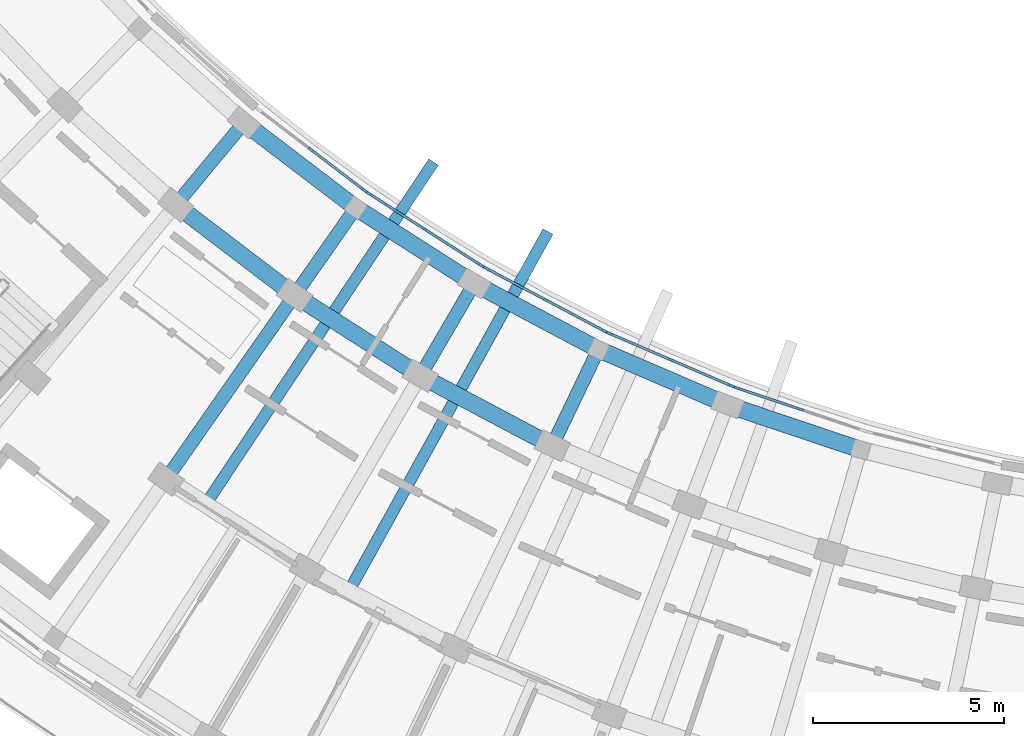
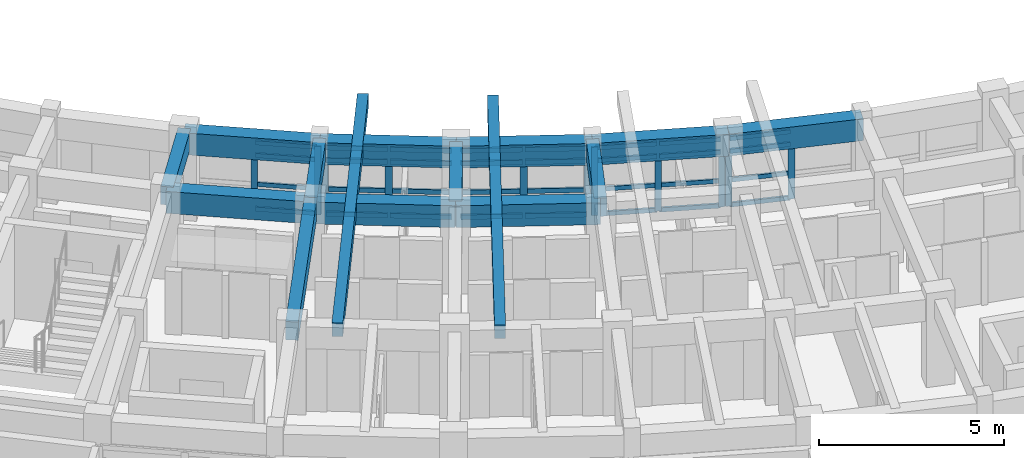
# One storey, part 13 of 55: 45 members, 15 beams, 5 elements without a shape of their own.
"""IFC4 building model written with IfcOpenShell, lengths in metres."""

from ifc_helpers import new_model, si_unit, direction, frame, origin, origin_2d, place, context, subcontext, project, spatial, rectangle, extrude, material, material_profile, profile_set, type_object, element, aggregate, save


model = new_model("IFC4")

# Units and contexts
model_context = context("Model", 3, precision=1e-05, world=origin(), true_north=direction((0.0, 1.0)))
body_context = subcontext(model_context, "Body", "Model", "MODEL_VIEW")
ifc_project = project(units=[si_unit("LENGTHUNIT", "METRE"), si_unit("AREAUNIT", "SQUARE_METRE"), si_unit("VOLUMEUNIT", "CUBIC_METRE"), si_unit("PLANEANGLEUNIT", "RADIAN"), si_unit("MASSUNIT", "GRAM", prefix="KILO")], contexts=[model_context])

# Site, building, storey
site_placement = place(None, origin())
site = spatial("IfcSite", under=ifc_project, at=site_placement, CompositionType="ELEMENT")
building_placement = place(site_placement, origin())
building = spatial("IfcBuilding", under=site, at=building_placement, Name="Zimvara Arc Housing Community", CompositionType="ELEMENT")
storey_placement = place(building_placement, frame((0.0, 0.0, 14.300048828125)))
storey = spatial("IfcBuildingStorey", under=building, at=storey_placement, Name="L04", CompositionType="ELEMENT", Elevation=14.300048828125)

# Beams
ifc_material_1 = material(Name="Concrete C40/50", Category="concrete")
ifc_material_profile_1 = material_profile(ifc_material_1, rectangle(XDim=0.300048828125, YDim=0.449951171875, at=origin_2d()), Name="RC 300x450")
ifc_profile_set_1 = profile_set([ifc_material_profile_1], Name="Concrete C40/50")
beam_type_1 = type_object("IfcBeamType", Name="BM-RC-300x450", PredefinedType="JOIST", material=ifc_profile_set_1)
beam_1_placement = place(storey_placement, frame((96.168701171875, 65.07470703125, 2.6650390625), z_axis=(0.554127285738, 0.832431949892, 0.0), x_axis=(-0.832431949892, 0.554127285738, 0.0)))
element("IfcBeam", 1, at=beam_1_placement, inside=storey, type_object=beam_type_1, Name="bm:blkC:L04:cant_in:b3", PredefinedType="JOIST", context=body_context, shape_type="SweptSolid", body=[
    extrude(rectangle(XDim=0.300048828125, YDim=0.449951171875, at=origin_2d()), origin(), (0.0, 0.0, 1.0), 10.81982421875),
])
beam_2_placement = place(storey_placement, frame((99.922119140625, 62.791748046875, 2.6650390625), z_axis=(0.484356901768, 0.874870499965, 0.0), x_axis=(-0.874870499965, 0.484356901768, 0.0)))
element("IfcBeam", 2, at=beam_2_placement, inside=storey, type_object=beam_type_1, Name="bm:blkC:L04:cant_in:b4", PredefinedType="JOIST", context=body_context, shape_type="SweptSolid", body=[
    extrude(rectangle(XDim=0.300048828125, YDim=0.449951171875, at=origin_2d()), origin(), (0.0, 0.0, 1.0), 10.820068359375),
])
ifc_material_2 = material(Name="Concrete C40/50", Category="concrete")
ifc_material_profile_2 = material_profile(ifc_material_2, rectangle(XDim=0.35009765625, YDim=0.60009765625, at=origin_2d()), Name="RC 350x600")
ifc_profile_set_2 = profile_set([ifc_material_profile_2], Name="Concrete C40/50")
beam_type_2 = type_object("IfcBeamType", Name="BM-RC-350x600", PredefinedType="BEAM", material=ifc_profile_set_2)
beam_3_placement = place(storey_placement, frame((97.195068359375, 75.114501953125, 2.56005859375), z_axis=(-0.637917412223, -0.770104781951, 0.0), x_axis=(0.770104781951, -0.637917412223, 0.0)))
element("IfcBeam", 3, at=beam_3_placement, inside=storey, type_object=beam_type_2, Name="bm:blkC:L04:rad:b2:r01", PredefinedType="BEAM", context=body_context, shape_type="SweptSolid", body=[
    extrude(rectangle(XDim=0.35009765625, YDim=0.60009765625, at=origin_2d()), origin(), (0.0, 0.0, 1.0), 2.800048828125),
])
beam_4_placement = place(storey_placement, frame((100.1259765625, 72.8818359375, 2.56005859375), z_axis=(-0.57297651105, -0.819571789281, 0.0), x_axis=(0.819571789281, -0.57297651105, 0.0)))
element("IfcBeam", 4, at=beam_4_placement, inside=storey, type_object=beam_type_2, Name="bm:blkC:L04:rad:b3:r01", PredefinedType="BEAM", context=body_context, shape_type="SweptSolid", body=[
    extrude(rectangle(XDim=0.35009765625, YDim=0.60009765625, at=origin_2d()), origin(), (0.0, 0.0, 1.0), 2.7998046875),
])
beam_5_placement = place(storey_placement, frame((98.521728515625, 70.587158203125, 2.56005859375), z_axis=(-0.57300805165, -0.81954973781, 0.0), x_axis=(0.81954973781, -0.57300805165, 0.0)))
element("IfcBeam", 5, at=beam_5_placement, inside=storey, type_object=beam_type_2, Name="bm:blkC:L04:rad:b3:r12", PredefinedType="BEAM", context=body_context, shape_type="SweptSolid", body=[
    extrude(rectangle(XDim=0.35009765625, YDim=0.60009765625, at=origin_2d()), origin(), (0.0, 0.0, 1.0), 5.880126953125),
])
beam_6_placement = place(storey_placement, frame((103.229248046875, 70.895751953125, 2.56005859375), z_axis=(-0.504201666262, -0.8635859423, 0.0), x_axis=(0.8635859423, -0.504201666262, 0.0)))
element("IfcBeam", 6, at=beam_6_placement, inside=storey, type_object=beam_type_2, Name="bm:blkC:L04:rad:b4:r01", PredefinedType="BEAM", context=body_context, shape_type="SweptSolid", body=[
    extrude(rectangle(XDim=0.35009765625, YDim=0.60009765625, at=origin_2d()), origin(), (0.0, 0.0, 1.0), 2.80029296875),
])
beam_7_placement = place(storey_placement, frame((106.484375, 69.16943359375, 2.56005859375), z_axis=(-0.432118703138, -0.901816736593, 0.0), x_axis=(0.901816736593, -0.432118703138, 0.0)))
element("IfcBeam", 7, at=beam_7_placement, inside=storey, type_object=beam_type_2, Name="bm:blkC:L04:rad:b5:r01", PredefinedType="BEAM", context=body_context, shape_type="SweptSolid", body=[
    extrude(rectangle(XDim=0.35009765625, YDim=0.60009765625, at=origin_2d()), origin(), (0.0, 0.0, 1.0), 2.800048828125),
])
ifc_material_3 = material(Name="Concrete C40/50", Category="concrete")
ifc_material_profile_3 = material_profile(ifc_material_3, rectangle(XDim=0.43994140625, YDim=0.719970703125, at=origin_2d()), Name="RC 440x720")
ifc_profile_set_3 = profile_set([ifc_material_profile_3], Name="Concrete C40/50")
beam_type_3 = type_object("IfcBeamType", Name="BM-RC-440x720", PredefinedType="BEAM", material=ifc_profile_set_3)
for number, where, z_axis, x_axis, name in (
    (8, (97.195068359375, 75.114501953125, 2.5), (0.795484955371, -0.605973337515, 0.0), (0.605973337515, 0.795484955371, 0.0), "bm:blkC:L04:chord:r0:b2"),
    (9, (100.1259765625, 72.8818359375, 2.5), (0.842272604079, -0.539051816079, 0.0), (0.539051816079, 0.842272604079, 0.0), "bm:blkC:L04:chord:r0:b3"),
):
    element("IfcBeam", number, at=place(storey_placement, frame(where, z_axis=z_axis, x_axis=x_axis)), inside=storey, type_object=beam_type_3, Name=name, PredefinedType="BEAM", context=body_context, shape_type="SweptSolid", body=[
        extrude(rectangle(XDim=0.43994140625, YDim=0.719970703125, at=origin_2d()), origin(), (0.0, 0.0, 1.0), 3.684326171875),
    ])
for number, where, z_axis, x_axis, name in (
    (10, (103.229248046875, 70.895751953125, 2.5), (0.883449220086, -0.468526920815, 0.0), (0.468526920815, 0.883449220086, 0.0), "bm:blkC:L04:chord:r0:b4"),
    (11, (106.484375, 69.16943359375, 2.5), (0.918716071386, -0.394918700718, 0.0), (0.394918700718, 0.918716071386, 0.0), "bm:blkC:L04:chord:r0:b5"),
):
    element("IfcBeam", number, at=place(storey_placement, frame(where, z_axis=z_axis, x_axis=x_axis)), inside=storey, type_object=beam_type_3, Name=name, PredefinedType="BEAM", context=body_context, shape_type="SweptSolid", body=[
        extrude(rectangle(XDim=0.43994140625, YDim=0.719970703125, at=origin_2d()), origin(), (0.0, 0.0, 1.0), 3.6845703125),
    ])
beam_8_placement = place(storey_placement, frame((109.869384765625, 67.71435546875, 2.5), z_axis=(0.947865078275, -0.31867192124, 0.0), x_axis=(0.31867192124, 0.947865078275, 0.0)))
element("IfcBeam", 12, at=beam_8_placement, inside=storey, type_object=beam_type_3, Name="bm:blkC:L04:chord:r0:b6", PredefinedType="BEAM", context=body_context, shape_type="SweptSolid", body=[
    extrude(rectangle(XDim=0.43994140625, YDim=0.719970703125, at=origin_2d()), origin(), (0.0, 0.0, 1.0), 3.684326171875),
])
for number, where, z_axis, x_axis, name in (
    (13, (95.408935546875, 72.958251953125, 2.5), (0.795500462697, -0.605952979899, 0.0), (0.605952979899, 0.795500462697, 0.0), "bm:blkC:L04:chord:r1:b2"),
    (14, (98.521728515625, 70.587158203125, 2.5), (0.842224940184, -0.53912628403, 0.0), (0.53912628403, 0.842224940184, 0.0), "bm:blkC:L04:chord:r1:b3"),
    (15, (101.8173828125, 68.4775390625, 2.5), (0.883464449706, -0.468498202884, 0.0), (0.468498202884, 0.883464449706, 0.0), "bm:blkC:L04:chord:r1:b4"),
):
    element("IfcBeam", number, at=place(storey_placement, frame(where, z_axis=z_axis, x_axis=x_axis)), inside=storey, type_object=beam_type_3, Name=name, PredefinedType="BEAM", context=body_context, shape_type="SweptSolid", body=[
        extrude(rectangle(XDim=0.43994140625, YDim=0.719970703125, at=origin_2d()), origin(), (0.0, 0.0, 1.0), 3.9130859375),
    ])

# Curtain wall, members
ifc_material_4 = material(Name="Anodised Aluminium AW-6063", Category="aluminium")
curtain_wall_type_1 = type_object("IfcCurtainWallType", Name="CW-SYS-04", PredefinedType="USERDEFINED", material=ifc_material_4)
curtain_wall_1_placement = place(storey_placement, origin())
curtain_wall_1 = element("IfcCurtainWall", 16, at=curtain_wall_1_placement, inside=storey, type_object=curtain_wall_type_1, Name="cw:blkC:L04:in:b2", ObjectType="CURTAIN WALL", PredefinedType="USERDEFINED")
ifc_material_5 = material(Name="Anodised Aluminium AW-6063", Category="aluminium")
ifc_material_profile_4 = material_profile(ifc_material_5, rectangle(XDim=0.06494140625, YDim=0.179931640625, at=origin_2d()), Name="ALU 65x180")
ifc_profile_set_4 = profile_set([ifc_material_profile_4], Name="Anodised Aluminium AW-6063")
member_type_1 = type_object("IfcMemberType", Name="CWM-65x150", PredefinedType="MULLION", material=ifc_profile_set_4)
member_1_placement = place(storey_placement, frame((98.96337890625, 74.3955078125, 0.0), z_axis=(0.0, 0.0, 1.0), x_axis=(0.605988318533, 0.795473543119, 0.0)))
member_1 = element("IfcMember", 17, at=member_1_placement, type_object=member_type_1, Name="CW04 mullion 2", PredefinedType="MULLION", context=body_context, shape_type="SweptSolid", body=[
    extrude(rectangle(XDim=0.06494140625, YDim=0.179931640625, at=origin_2d()), origin(), (0.0, 0.0, 1.0), 2.25),
])
member_2_placement = place(storey_placement, frame((100.3388671875, 73.34765625, 0.0), z_axis=(0.0, 0.0, 1.0), x_axis=(0.605988318533, 0.795473543119, 0.0)))
member_2 = element("IfcMember", 18, at=member_2_placement, type_object=member_type_1, Name="CW04 mullion 3", PredefinedType="MULLION", context=body_context, shape_type="SweptSolid", body=[
    extrude(rectangle(XDim=0.06494140625, YDim=0.179931640625, at=origin_2d()), origin(), (0.0, 0.0, 1.0), 2.25),
])

ifc_material_6 = material(Name="Anodised Aluminium AW-6063", Category="aluminium")
curtain_wall_type_2 = type_object("IfcCurtainWallType", Name="CW-SYS-08", PredefinedType="USERDEFINED", material=ifc_material_6)
curtain_wall_2_placement = place(storey_placement, origin())
curtain_wall_2 = element("IfcCurtainWall", 19, at=curtain_wall_2_placement, inside=storey, type_object=curtain_wall_type_2, Name="cw:blkC:L04:in:b5", ObjectType="CURTAIN WALL", PredefinedType="USERDEFINED")
member_3_placement = place(storey_placement, frame((106.785400390625, 69.583740234375, 0.0), z_axis=(0.0, 0.0, 1.0), x_axis=(0.394904493375, 0.918722178415, 0.0)))
member_3 = element("IfcMember", 20, at=member_3_placement, type_object=member_type_1, Name="CW08 mullion 1", PredefinedType="MULLION", context=body_context, shape_type="SweptSolid", body=[
    extrude(rectangle(XDim=0.06494140625, YDim=0.179931640625, at=origin_2d()), origin(), (0.0, 0.0, 1.0), 2.25),
])
member_4_placement = place(storey_placement, frame((108.3740234375, 68.90087890625, 0.0), z_axis=(0.0, 0.0, 1.0), x_axis=(0.394904493375, 0.918722178415, 0.0)))
member_4 = element("IfcMember", 21, at=member_4_placement, type_object=member_type_1, Name="CW08 mullion 2", PredefinedType="MULLION", context=body_context, shape_type="SweptSolid", body=[
    extrude(rectangle(XDim=0.06494140625, YDim=0.179931640625, at=origin_2d()), origin(), (0.0, 0.0, 1.0), 2.25),
])
member_5_placement = place(storey_placement, frame((109.962890625, 68.2177734375, 0.0), z_axis=(0.0, 0.0, 1.0), x_axis=(0.394904493375, 0.918722178415, 0.0)))
member_5 = element("IfcMember", 22, at=member_5_placement, type_object=member_type_1, Name="CW08 mullion 3", PredefinedType="MULLION", context=body_context, shape_type="SweptSolid", body=[
    extrude(rectangle(XDim=0.06494140625, YDim=0.179931640625, at=origin_2d()), origin(), (0.0, 0.0, 1.0), 2.25),
])

ifc_material_7 = material(Name="Anodised Aluminium AW-6063", Category="aluminium")
curtain_wall_type_3 = type_object("IfcCurtainWallType", Name="CW-SYS-02", PredefinedType="USERDEFINED", material=ifc_material_7)
curtain_wall_3_placement = place(storey_placement, origin())
curtain_wall_3 = element("IfcCurtainWall", 23, at=curtain_wall_3_placement, inside=storey, type_object=curtain_wall_type_3, Name="cw:blkC:L04:in:b6", ObjectType="CURTAIN WALL", PredefinedType="USERDEFINED")
member_6_placement = place(storey_placement, frame((110.135498046875, 68.15185546875, 0.0), z_axis=(0.0, 0.0, 1.0), x_axis=(0.318630249383, 0.94787908732, 0.0)))
member_6 = element("IfcMember", 24, at=member_6_placement, type_object=member_type_1, Name="CW02 mullion 1", PredefinedType="MULLION", context=body_context, shape_type="SweptSolid", body=[
    extrude(rectangle(XDim=0.06494140625, YDim=0.179931640625, at=origin_2d()), origin(), (0.0, 0.0, 1.0), 2.25),
])
member_7_placement = place(storey_placement, frame((111.774658203125, 67.600830078125, 0.0), z_axis=(0.0, 0.0, 1.0), x_axis=(0.318630249383, 0.94787908732, 0.0)))
member_7 = element("IfcMember", 25, at=member_7_placement, type_object=member_type_1, Name="CW02 mullion 2", PredefinedType="MULLION", context=body_context, shape_type="SweptSolid", body=[
    extrude(rectangle(XDim=0.06494140625, YDim=0.179931640625, at=origin_2d()), origin(), (0.0, 0.0, 1.0), 2.25),
])

ifc_material_8 = material(Name="Anodised Aluminium AW-6063", Category="aluminium")
curtain_wall_type_4 = type_object("IfcCurtainWallType", Name="CW-SYS-05", PredefinedType="USERDEFINED", material=ifc_material_8)
curtain_wall_4_placement = place(storey_placement, origin())
curtain_wall_4 = element("IfcCurtainWall", 26, at=curtain_wall_4_placement, inside=storey, type_object=curtain_wall_type_4, Name="cw:blkC:L04:in:b3", ObjectType="CURTAIN WALL", PredefinedType="USERDEFINED")
ifc_material_9 = material(Name="Anodised Aluminium AW-6063", Category="aluminium")
ifc_material_profile_5 = material_profile(ifc_material_9, rectangle(XDim=0.06494140625, YDim=0.195068359375, at=origin_2d()), Name="ALU 65x195")
ifc_profile_set_5 = profile_set([ifc_material_profile_5], Name="Anodised Aluminium AW-6063")
member_type_2 = type_object("IfcMemberType", Name="CWM-65x180", PredefinedType="MULLION", material=ifc_profile_set_5)
member_8_placement = place(storey_placement, frame((100.490478515625, 73.24169921875, 0.0), z_axis=(0.0, 0.0, 1.0), x_axis=(0.539064085203, 0.842264751752, 0.0)))
member_8 = element("IfcMember", 27, at=member_8_placement, type_object=member_type_2, Name="CW05 mullion 1", PredefinedType="MULLION", context=body_context, shape_type="SweptSolid", body=[
    extrude(rectangle(XDim=0.06494140625, YDim=0.195068359375, at=origin_2d()), origin(), (0.0, 0.0, 1.0), 2.25),
])
member_9_placement = place(storey_placement, frame((101.947021484375, 72.3095703125, 0.0), z_axis=(0.0, 0.0, 1.0), x_axis=(0.539064085203, 0.842264751752, 0.0)))
member_9 = element("IfcMember", 28, at=member_9_placement, type_object=member_type_2, Name="CW05 mullion 2", PredefinedType="MULLION", context=body_context, shape_type="SweptSolid", body=[
    extrude(rectangle(XDim=0.06494140625, YDim=0.195068359375, at=origin_2d()), origin(), (0.0, 0.0, 1.0), 2.25),
])
member_10_placement = place(storey_placement, frame((103.403564453125, 71.377197265625, 0.0), z_axis=(0.0, 0.0, 1.0), x_axis=(0.539064085203, 0.842264751752, 0.0)))
member_10 = element("IfcMember", 29, at=member_10_placement, type_object=member_type_2, Name="CW05 mullion 3", PredefinedType="MULLION", context=body_context, shape_type="SweptSolid", body=[
    extrude(rectangle(XDim=0.06494140625, YDim=0.195068359375, at=origin_2d()), origin(), (0.0, 0.0, 1.0), 2.25),
])

ifc_material_10 = material(Name="Anodised Aluminium AW-6063", Category="aluminium")
curtain_wall_type_5 = type_object("IfcCurtainWallType", Name="CW-SYS-07", PredefinedType="USERDEFINED", material=ifc_material_10)
curtain_wall_5_placement = place(storey_placement, origin())
curtain_wall_5 = element("IfcCurtainWall", 30, at=curtain_wall_5_placement, inside=storey, type_object=curtain_wall_type_5, Name="cw:blkC:L04:in:b4", ObjectType="CURTAIN WALL", PredefinedType="USERDEFINED")
member_11_placement = place(storey_placement, frame((103.563232421875, 71.2841796875, 0.0), z_axis=(0.0, 0.0, 1.0), x_axis=(0.468544648573, 0.88343981815, 0.0)))
member_11 = element("IfcMember", 31, at=member_11_placement, type_object=member_type_2, Name="CW07 mullion 1", PredefinedType="MULLION", context=body_context, shape_type="SweptSolid", body=[
    extrude(rectangle(XDim=0.06494140625, YDim=0.195068359375, at=origin_2d()), origin(), (0.0, 0.0, 1.0), 2.25),
])
member_12_placement = place(storey_placement, frame((105.0908203125, 70.473876953125, 0.0), z_axis=(0.0, 0.0, 1.0), x_axis=(0.468544648573, 0.88343981815, 0.0)))
member_12 = element("IfcMember", 32, at=member_12_placement, type_object=member_type_2, Name="CW07 mullion 2", PredefinedType="MULLION", context=body_context, shape_type="SweptSolid", body=[
    extrude(rectangle(XDim=0.06494140625, YDim=0.195068359375, at=origin_2d()), origin(), (0.0, 0.0, 1.0), 2.25),
])
member_13_placement = place(storey_placement, frame((106.61865234375, 69.66357421875, 0.0), z_axis=(0.0, 0.0, 1.0), x_axis=(0.468544648573, 0.88343981815, 0.0)))
member_13 = element("IfcMember", 33, at=member_13_placement, type_object=member_type_2, Name="CW07 mullion 3", PredefinedType="MULLION", context=body_context, shape_type="SweptSolid", body=[
    extrude(rectangle(XDim=0.06494140625, YDim=0.195068359375, at=origin_2d()), origin(), (0.0, 0.0, 1.0), 2.25),
])

# Member
ifc_material_11 = material(Name="Anodised Aluminium AW-6063", Category="aluminium")
ifc_material_profile_6 = material_profile(ifc_material_11, rectangle(XDim=0.06494140625, YDim=0.139892578125, at=origin_2d()), Name="ALU 65x140")
ifc_profile_set_6 = profile_set([ifc_material_profile_6], Name="Anodised Aluminium AW-6063")
member_type_3 = type_object("IfcMemberType", Name="CWT-65x120", PredefinedType="USERDEFINED", material=ifc_profile_set_6)
member_14_placement = place(storey_placement, frame((98.9892578125, 74.3759765625, 0.032470703125), z_axis=(0.795435087713, -0.606038795157, 0.0), x_axis=(0.606038795157, 0.795435087713, 0.0)))
member_14 = element("IfcMember", 34, at=member_14_placement, type_object=member_type_3, Name="CW04 transom 2.1", ObjectType="TRANSOM", PredefinedType="USERDEFINED", context=body_context, shape_type="SweptSolid", body=[
    extrude(rectangle(XDim=0.06494140625, YDim=0.139892578125, at=origin_2d()), origin(), (0.0, 0.0, 1.0), 1.6640625),
])

member_15_placement = place(storey_placement, frame((98.9892578125, 74.3759765625, 0.849853515625), z_axis=(0.795435087713, -0.606038795157, 0.0), x_axis=(0.606038795157, 0.795435087713, 0.0)))
member_15 = element("IfcMember", 35, at=member_15_placement, type_object=member_type_3, Name="CW04 transom 2.2", ObjectType="TRANSOM", PredefinedType="USERDEFINED", context=body_context, shape_type="SweptSolid", body=[
    extrude(rectangle(XDim=0.06494140625, YDim=0.139892578125, at=origin_2d()), origin(), (0.0, 0.0, 1.0), 1.6640625),
])

member_16_placement = place(storey_placement, frame((98.9892578125, 74.3759765625, 1.800048828125), z_axis=(0.795435087713, -0.606038795157, 0.0), x_axis=(0.606038795157, 0.795435087713, 0.0)))
member_16 = element("IfcMember", 36, at=member_16_placement, type_object=member_type_3, Name="CW04 transom 2.3", ObjectType="TRANSOM", PredefinedType="USERDEFINED", context=body_context, shape_type="SweptSolid", body=[
    extrude(rectangle(XDim=0.06494140625, YDim=0.139892578125, at=origin_2d()), origin(), (0.0, 0.0, 1.0), 1.6640625),
])

member_17_placement = place(storey_placement, frame((98.9892578125, 74.3759765625, 2.217529296875), z_axis=(0.795435087713, -0.606038795157, 0.0), x_axis=(0.606038795157, 0.795435087713, 0.0)))
member_17 = element("IfcMember", 37, at=member_17_placement, type_object=member_type_3, Name="CW04 transom 2.4", ObjectType="TRANSOM", PredefinedType="USERDEFINED", context=body_context, shape_type="SweptSolid", body=[
    extrude(rectangle(XDim=0.06494140625, YDim=0.139892578125, at=origin_2d()), origin(), (0.0, 0.0, 1.0), 1.6640625),
])

aggregate(curtain_wall_1, [member_1, member_2, member_14, member_15, member_16, member_17])

member_18_placement = place(storey_placement, frame((106.815185546875, 69.57080078125, 0.032470703125), z_axis=(0.918727202972, -0.394892803832, 0.0), x_axis=(0.394892803832, 0.918727202972, 0.0)))
member_18 = element("IfcMember", 38, at=member_18_placement, type_object=member_type_3, Name="CW08 transom 1.1", ObjectType="TRANSOM", PredefinedType="USERDEFINED", context=body_context, shape_type="SweptSolid", body=[
    extrude(rectangle(XDim=0.06494140625, YDim=0.139892578125, at=origin_2d()), origin(), (0.0, 0.0, 1.0), 1.664306640625),
])

member_19_placement = place(storey_placement, frame((106.815185546875, 69.57080078125, 0.849853515625), z_axis=(0.918727202972, -0.394892803832, 0.0), x_axis=(0.394892803832, 0.918727202972, 0.0)))
member_19 = element("IfcMember", 39, at=member_19_placement, type_object=member_type_3, Name="CW08 transom 1.2", ObjectType="TRANSOM", PredefinedType="USERDEFINED", context=body_context, shape_type="SweptSolid", body=[
    extrude(rectangle(XDim=0.06494140625, YDim=0.139892578125, at=origin_2d()), origin(), (0.0, 0.0, 1.0), 1.664306640625),
])

member_20_placement = place(storey_placement, frame((106.815185546875, 69.57080078125, 1.800048828125), z_axis=(0.918727202972, -0.394892803832, 0.0), x_axis=(0.394892803832, 0.918727202972, 0.0)))
member_20 = element("IfcMember", 40, at=member_20_placement, type_object=member_type_3, Name="CW08 transom 1.3", ObjectType="TRANSOM", PredefinedType="USERDEFINED", context=body_context, shape_type="SweptSolid", body=[
    extrude(rectangle(XDim=0.06494140625, YDim=0.139892578125, at=origin_2d()), origin(), (0.0, 0.0, 1.0), 1.664306640625),
])

member_21_placement = place(storey_placement, frame((106.815185546875, 69.57080078125, 2.217529296875), z_axis=(0.918727202972, -0.394892803832, 0.0), x_axis=(0.394892803832, 0.918727202972, 0.0)))
member_21 = element("IfcMember", 41, at=member_21_placement, type_object=member_type_3, Name="CW08 transom 1.4", ObjectType="TRANSOM", PredefinedType="USERDEFINED", context=body_context, shape_type="SweptSolid", body=[
    extrude(rectangle(XDim=0.06494140625, YDim=0.139892578125, at=origin_2d()), origin(), (0.0, 0.0, 1.0), 1.664306640625),
])

member_22_placement = place(storey_placement, frame((108.40380859375, 68.887939453125, 0.032470703125), z_axis=(0.918727202972, -0.394892803832, 0.0), x_axis=(0.394892803832, 0.918727202972, 0.0)))
member_22 = element("IfcMember", 42, at=member_22_placement, type_object=member_type_3, Name="CW08 transom 2.1", ObjectType="TRANSOM", PredefinedType="USERDEFINED", context=body_context, shape_type="SweptSolid", body=[
    extrude(rectangle(XDim=0.06494140625, YDim=0.139892578125, at=origin_2d()), origin(), (0.0, 0.0, 1.0), 1.664306640625),
])

member_23_placement = place(storey_placement, frame((108.40380859375, 68.887939453125, 0.849853515625), z_axis=(0.918727202972, -0.394892803832, 0.0), x_axis=(0.394892803832, 0.918727202972, 0.0)))
member_23 = element("IfcMember", 43, at=member_23_placement, type_object=member_type_3, Name="CW08 transom 2.2", ObjectType="TRANSOM", PredefinedType="USERDEFINED", context=body_context, shape_type="SweptSolid", body=[
    extrude(rectangle(XDim=0.06494140625, YDim=0.139892578125, at=origin_2d()), origin(), (0.0, 0.0, 1.0), 1.664306640625),
])

member_24_placement = place(storey_placement, frame((108.40380859375, 68.887939453125, 1.800048828125), z_axis=(0.918727202972, -0.394892803832, 0.0), x_axis=(0.394892803832, 0.918727202972, 0.0)))
member_24 = element("IfcMember", 44, at=member_24_placement, type_object=member_type_3, Name="CW08 transom 2.3", ObjectType="TRANSOM", PredefinedType="USERDEFINED", context=body_context, shape_type="SweptSolid", body=[
    extrude(rectangle(XDim=0.06494140625, YDim=0.139892578125, at=origin_2d()), origin(), (0.0, 0.0, 1.0), 1.664306640625),
])

member_25_placement = place(storey_placement, frame((108.40380859375, 68.887939453125, 2.217529296875), z_axis=(0.918727202972, -0.394892803832, 0.0), x_axis=(0.394892803832, 0.918727202972, 0.0)))
member_25 = element("IfcMember", 45, at=member_25_placement, type_object=member_type_3, Name="CW08 transom 2.4", ObjectType="TRANSOM", PredefinedType="USERDEFINED", context=body_context, shape_type="SweptSolid", body=[
    extrude(rectangle(XDim=0.06494140625, YDim=0.139892578125, at=origin_2d()), origin(), (0.0, 0.0, 1.0), 1.664306640625),
])

aggregate(curtain_wall_2, [member_3, member_4, member_5, member_18, member_19, member_20, member_21, member_22, member_23, member_24, member_25])

member_26_placement = place(storey_placement, frame((110.166259765625, 68.1416015625, 0.032470703125), z_axis=(0.947888214723, -0.318603095385, 0.0), x_axis=(0.318603095385, 0.947888214723, 0.0)))
member_26 = element("IfcMember", 46, at=member_26_placement, type_object=member_type_3, Name="CW02 transom 1.1", ObjectType="TRANSOM", PredefinedType="USERDEFINED", context=body_context, shape_type="SweptSolid", body=[
    extrude(rectangle(XDim=0.06494140625, YDim=0.139892578125, at=origin_2d()), origin(), (0.0, 0.0, 1.0), 1.664306640625),
])

member_27_placement = place(storey_placement, frame((110.166259765625, 68.1416015625, 0.849853515625), z_axis=(0.947888214723, -0.318603095385, 0.0), x_axis=(0.318603095385, 0.947888214723, 0.0)))
member_27 = element("IfcMember", 47, at=member_27_placement, type_object=member_type_3, Name="CW02 transom 1.2", ObjectType="TRANSOM", PredefinedType="USERDEFINED", context=body_context, shape_type="SweptSolid", body=[
    extrude(rectangle(XDim=0.06494140625, YDim=0.139892578125, at=origin_2d()), origin(), (0.0, 0.0, 1.0), 1.664306640625),
])

member_28_placement = place(storey_placement, frame((110.166259765625, 68.1416015625, 1.800048828125), z_axis=(0.947888214723, -0.318603095385, 0.0), x_axis=(0.318603095385, 0.947888214723, 0.0)))
member_28 = element("IfcMember", 48, at=member_28_placement, type_object=member_type_3, Name="CW02 transom 1.3", ObjectType="TRANSOM", PredefinedType="USERDEFINED", context=body_context, shape_type="SweptSolid", body=[
    extrude(rectangle(XDim=0.06494140625, YDim=0.139892578125, at=origin_2d()), origin(), (0.0, 0.0, 1.0), 1.664306640625),
])

member_29_placement = place(storey_placement, frame((110.166259765625, 68.1416015625, 2.217529296875), z_axis=(0.947888214723, -0.318603095385, 0.0), x_axis=(0.318603095385, 0.947888214723, 0.0)))
member_29 = element("IfcMember", 49, at=member_29_placement, type_object=member_type_3, Name="CW02 transom 1.4", ObjectType="TRANSOM", PredefinedType="USERDEFINED", context=body_context, shape_type="SweptSolid", body=[
    extrude(rectangle(XDim=0.06494140625, YDim=0.139892578125, at=origin_2d()), origin(), (0.0, 0.0, 1.0), 1.664306640625),
])

aggregate(curtain_wall_3, [member_6, member_7, member_26, member_27, member_28, member_29])

ifc_material_12 = material(Name="Anodised Aluminium AW-6063", Category="aluminium")
ifc_material_profile_7 = material_profile(ifc_material_12, rectangle(XDim=0.06494140625, YDim=0.155029296875, at=origin_2d()), Name="ALU 65x155")
ifc_profile_set_7 = profile_set([ifc_material_profile_7], Name="Anodised Aluminium AW-6063")
member_type_4 = type_object("IfcMemberType", Name="CWT-65x140", PredefinedType="USERDEFINED", material=ifc_profile_set_7)
member_30_placement = place(storey_placement, frame((100.517822265625, 73.22412109375, 0.032470703125), z_axis=(0.842263408668, -0.539066183709, 0.0), x_axis=(0.539066183709, 0.842263408668, 0.0)))
member_30 = element("IfcMember", 50, at=member_30_placement, type_object=member_type_4, Name="CW05 transom 1.1", ObjectType="TRANSOM", PredefinedType="USERDEFINED", context=body_context, shape_type="SweptSolid", body=[
    extrude(rectangle(XDim=0.06494140625, YDim=0.155029296875, at=origin_2d()), origin(), (0.0, 0.0, 1.0), 1.664306640625),
])

member_31_placement = place(storey_placement, frame((100.517822265625, 73.22412109375, 0.849853515625), z_axis=(0.842263408668, -0.539066183709, 0.0), x_axis=(0.539066183709, 0.842263408668, 0.0)))
member_31 = element("IfcMember", 51, at=member_31_placement, type_object=member_type_4, Name="CW05 transom 1.2", ObjectType="TRANSOM", PredefinedType="USERDEFINED", context=body_context, shape_type="SweptSolid", body=[
    extrude(rectangle(XDim=0.06494140625, YDim=0.155029296875, at=origin_2d()), origin(), (0.0, 0.0, 1.0), 1.664306640625),
])

member_32_placement = place(storey_placement, frame((100.517822265625, 73.22412109375, 1.800048828125), z_axis=(0.842263408668, -0.539066183709, 0.0), x_axis=(0.539066183709, 0.842263408668, 0.0)))
member_32 = element("IfcMember", 52, at=member_32_placement, type_object=member_type_4, Name="CW05 transom 1.3", ObjectType="TRANSOM", PredefinedType="USERDEFINED", context=body_context, shape_type="SweptSolid", body=[
    extrude(rectangle(XDim=0.06494140625, YDim=0.155029296875, at=origin_2d()), origin(), (0.0, 0.0, 1.0), 1.664306640625),
])

member_33_placement = place(storey_placement, frame((100.517822265625, 73.22412109375, 2.217529296875), z_axis=(0.842263408668, -0.539066183709, 0.0), x_axis=(0.539066183709, 0.842263408668, 0.0)))
member_33 = element("IfcMember", 53, at=member_33_placement, type_object=member_type_4, Name="CW05 transom 1.4", ObjectType="TRANSOM", PredefinedType="USERDEFINED", context=body_context, shape_type="SweptSolid", body=[
    extrude(rectangle(XDim=0.06494140625, YDim=0.155029296875, at=origin_2d()), origin(), (0.0, 0.0, 1.0), 1.664306640625),
])

member_34_placement = place(storey_placement, frame((101.974365234375, 72.2919921875, 0.032470703125), z_axis=(0.842263408668, -0.539066183709, 0.0), x_axis=(0.539066183709, 0.842263408668, 0.0)))
member_34 = element("IfcMember", 54, at=member_34_placement, type_object=member_type_4, Name="CW05 transom 2.1", ObjectType="TRANSOM", PredefinedType="USERDEFINED", context=body_context, shape_type="SweptSolid", body=[
    extrude(rectangle(XDim=0.06494140625, YDim=0.155029296875, at=origin_2d()), origin(), (0.0, 0.0, 1.0), 1.664306640625),
])

member_35_placement = place(storey_placement, frame((101.974365234375, 72.2919921875, 0.849853515625), z_axis=(0.842263408668, -0.539066183709, 0.0), x_axis=(0.539066183709, 0.842263408668, 0.0)))
member_35 = element("IfcMember", 55, at=member_35_placement, type_object=member_type_4, Name="CW05 transom 2.2", ObjectType="TRANSOM", PredefinedType="USERDEFINED", context=body_context, shape_type="SweptSolid", body=[
    extrude(rectangle(XDim=0.06494140625, YDim=0.155029296875, at=origin_2d()), origin(), (0.0, 0.0, 1.0), 1.664306640625),
])

member_36_placement = place(storey_placement, frame((101.974365234375, 72.2919921875, 1.800048828125), z_axis=(0.842263408668, -0.539066183709, 0.0), x_axis=(0.539066183709, 0.842263408668, 0.0)))
member_36 = element("IfcMember", 56, at=member_36_placement, type_object=member_type_4, Name="CW05 transom 2.3", ObjectType="TRANSOM", PredefinedType="USERDEFINED", context=body_context, shape_type="SweptSolid", body=[
    extrude(rectangle(XDim=0.06494140625, YDim=0.155029296875, at=origin_2d()), origin(), (0.0, 0.0, 1.0), 1.664306640625),
])

member_37_placement = place(storey_placement, frame((101.974365234375, 72.2919921875, 2.217529296875), z_axis=(0.842263408668, -0.539066183709, 0.0), x_axis=(0.539066183709, 0.842263408668, 0.0)))
member_37 = element("IfcMember", 57, at=member_37_placement, type_object=member_type_4, Name="CW05 transom 2.4", ObjectType="TRANSOM", PredefinedType="USERDEFINED", context=body_context, shape_type="SweptSolid", body=[
    extrude(rectangle(XDim=0.06494140625, YDim=0.155029296875, at=origin_2d()), origin(), (0.0, 0.0, 1.0), 1.664306640625),
])

aggregate(curtain_wall_4, [member_8, member_9, member_10, member_30, member_31, member_32, member_33, member_34, member_35, member_36, member_37])

member_38_placement = place(storey_placement, frame((103.591796875, 71.268798828125, 0.032470703125), z_axis=(0.883463021947, -0.468500895252, 0.0), x_axis=(0.468500895252, 0.883463021947, 0.0)))
member_38 = element("IfcMember", 58, at=member_38_placement, type_object=member_type_4, Name="CW07 transom 1.1", ObjectType="TRANSOM", PredefinedType="USERDEFINED", context=body_context, shape_type="SweptSolid", body=[
    extrude(rectangle(XDim=0.06494140625, YDim=0.155029296875, at=origin_2d()), origin(), (0.0, 0.0, 1.0), 1.664306640625),
])

member_39_placement = place(storey_placement, frame((103.591796875, 71.268798828125, 0.849853515625), z_axis=(0.883463021947, -0.468500895252, 0.0), x_axis=(0.468500895252, 0.883463021947, 0.0)))
member_39 = element("IfcMember", 59, at=member_39_placement, type_object=member_type_4, Name="CW07 transom 1.2", ObjectType="TRANSOM", PredefinedType="USERDEFINED", context=body_context, shape_type="SweptSolid", body=[
    extrude(rectangle(XDim=0.06494140625, YDim=0.155029296875, at=origin_2d()), origin(), (0.0, 0.0, 1.0), 1.664306640625),
])

member_40_placement = place(storey_placement, frame((103.591796875, 71.268798828125, 1.800048828125), z_axis=(0.883463021947, -0.468500895252, 0.0), x_axis=(0.468500895252, 0.883463021947, 0.0)))
member_40 = element("IfcMember", 60, at=member_40_placement, type_object=member_type_4, Name="CW07 transom 1.3", ObjectType="TRANSOM", PredefinedType="USERDEFINED", context=body_context, shape_type="SweptSolid", body=[
    extrude(rectangle(XDim=0.06494140625, YDim=0.155029296875, at=origin_2d()), origin(), (0.0, 0.0, 1.0), 1.664306640625),
])

member_41_placement = place(storey_placement, frame((103.591796875, 71.268798828125, 2.217529296875), z_axis=(0.883463021947, -0.468500895252, 0.0), x_axis=(0.468500895252, 0.883463021947, 0.0)))
member_41 = element("IfcMember", 61, at=member_41_placement, type_object=member_type_4, Name="CW07 transom 1.4", ObjectType="TRANSOM", PredefinedType="USERDEFINED", context=body_context, shape_type="SweptSolid", body=[
    extrude(rectangle(XDim=0.06494140625, YDim=0.155029296875, at=origin_2d()), origin(), (0.0, 0.0, 1.0), 1.664306640625),
])

member_42_placement = place(storey_placement, frame((105.11962890625, 70.45849609375, 0.032470703125), z_axis=(0.8834308201, -0.468561613982, 0.0), x_axis=(0.468561613982, 0.8834308201, 0.0)))
member_42 = element("IfcMember", 62, at=member_42_placement, type_object=member_type_4, Name="CW07 transom 2.1", ObjectType="TRANSOM", PredefinedType="USERDEFINED", context=body_context, shape_type="SweptSolid", body=[
    extrude(rectangle(XDim=0.06494140625, YDim=0.155029296875, at=origin_2d()), origin(), (0.0, 0.0, 1.0), 1.664306640625),
])

member_43_placement = place(storey_placement, frame((105.11962890625, 70.45849609375, 0.849853515625), z_axis=(0.8834308201, -0.468561613982, 0.0), x_axis=(0.468561613982, 0.8834308201, 0.0)))
member_43 = element("IfcMember", 63, at=member_43_placement, type_object=member_type_4, Name="CW07 transom 2.2", ObjectType="TRANSOM", PredefinedType="USERDEFINED", context=body_context, shape_type="SweptSolid", body=[
    extrude(rectangle(XDim=0.06494140625, YDim=0.155029296875, at=origin_2d()), origin(), (0.0, 0.0, 1.0), 1.664306640625),
])

member_44_placement = place(storey_placement, frame((105.11962890625, 70.45849609375, 1.800048828125), z_axis=(0.8834308201, -0.468561613982, 0.0), x_axis=(0.468561613982, 0.8834308201, 0.0)))
member_44 = element("IfcMember", 64, at=member_44_placement, type_object=member_type_4, Name="CW07 transom 2.3", ObjectType="TRANSOM", PredefinedType="USERDEFINED", context=body_context, shape_type="SweptSolid", body=[
    extrude(rectangle(XDim=0.06494140625, YDim=0.155029296875, at=origin_2d()), origin(), (0.0, 0.0, 1.0), 1.664306640625),
])

member_45_placement = place(storey_placement, frame((105.11962890625, 70.45849609375, 2.217529296875), z_axis=(0.8834308201, -0.468561613982, 0.0), x_axis=(0.468561613982, 0.8834308201, 0.0)))
member_45 = element("IfcMember", 65, at=member_45_placement, type_object=member_type_4, Name="CW07 transom 2.4", ObjectType="TRANSOM", PredefinedType="USERDEFINED", context=body_context, shape_type="SweptSolid", body=[
    extrude(rectangle(XDim=0.06494140625, YDim=0.155029296875, at=origin_2d()), origin(), (0.0, 0.0, 1.0), 1.664306640625),
])

aggregate(curtain_wall_5, [member_11, member_12, member_13, member_38, member_39, member_40, member_41, member_42, member_43, member_44, member_45])

save(model, "model.ifc")
